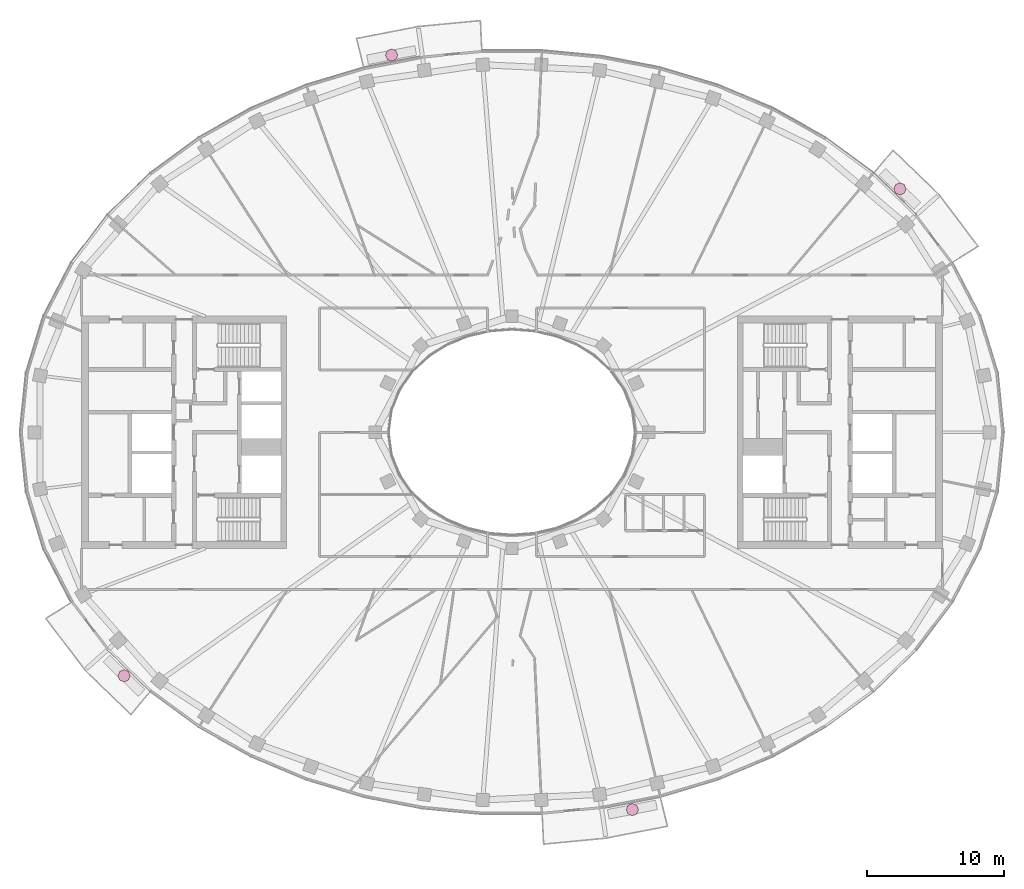
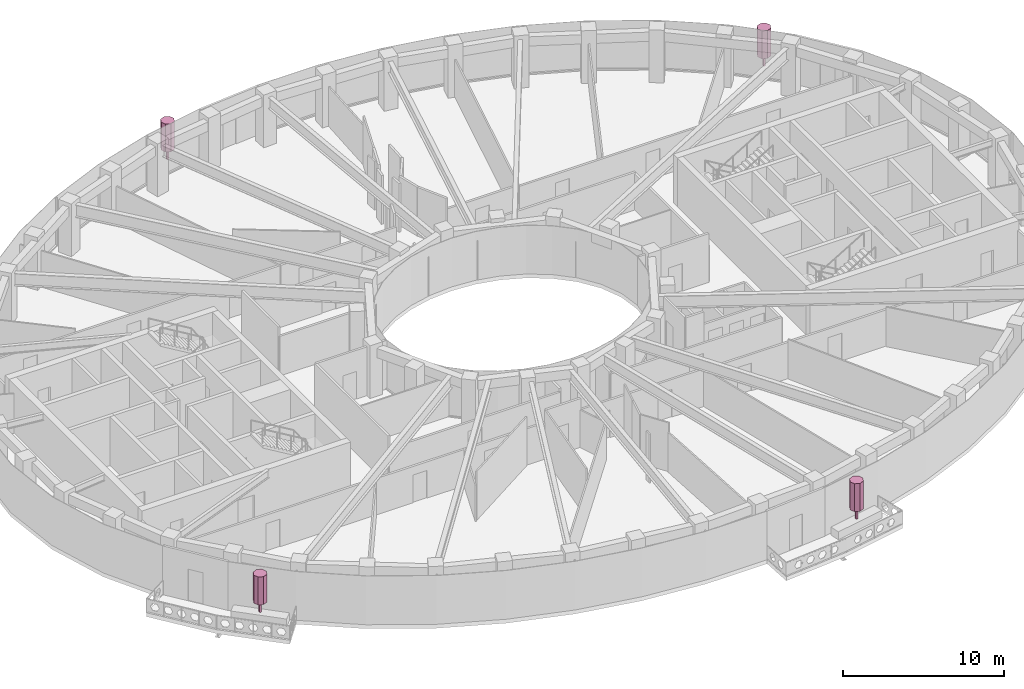
# One storey, part 16 of 16: 4 furnishings.
"""IFC4 building model written with IfcOpenShell, lengths in metres."""

from ifc_helpers import new_model, si_unit, direction, frame, origin, origin_2d, place, context, subcontext, project, spatial, polyline, rectangle, outline, extrude, material, type_object, element, save


model = new_model("IFC4")

# Units and contexts
model_context = context("Model", 3, precision=1e-05, world=origin(), true_north=direction((0.0, 1.0)))
body_context = subcontext(model_context, "Body", "Model", "MODEL_VIEW")
ifc_project = project(units=[si_unit("LENGTHUNIT", "METRE"), si_unit("AREAUNIT", "SQUARE_METRE"), si_unit("VOLUMEUNIT", "CUBIC_METRE"), si_unit("PLANEANGLEUNIT", "RADIAN"), si_unit("MASSUNIT", "GRAM", prefix="KILO")], contexts=[model_context])

# Site, building, storey
site_placement = place(None, origin())
site = spatial("IfcSite", under=ifc_project, at=site_placement, CompositionType="ELEMENT")
building_placement = place(site_placement, origin())
building = spatial("IfcBuilding", under=site, at=building_placement, Name="Noorbagh Ring Tower", CompositionType="ELEMENT")
storey_placement = place(building_placement, frame((0.0, 0.0, 311.0)))
storey = spatial("IfcBuildingStorey", under=building, at=storey_placement, Name="L67", CompositionType="ELEMENT", Elevation=311.0)

# Furnishings
ifc_material = material(Name="Planting foliage green")
furnishing_element_type = type_object("IfcFurnishingElementType", Name="ENV-TREE", material=ifc_material)
for number, where, z_axis, x_axis, name in (
    (1, (28.3837890625, 17.814208984375, 0.60009765625), (0.0, 0.0, 1.0), (1.0, 0.0, 0.0), "Tree BN01"),
    (2, (-8.807861328125, 27.603515625, 0.60009765625), (0.0, 0.0, 1.0), (1.0, 0.0, 0.0), "Tree BN04"),
    (3, (-28.3837890625, -17.814208984375, 0.60009765625), (0.0, 0.0, 1.0), (1.0, 0.0, 0.0), "Tree BS01"),
    (4, (8.807861328125, -27.603515625, 0.60009765625), (0.0, 0.0, 1.0), (1.0, 0.0, 0.0), "Tree BS04"),
):
    element("IfcFurnishingElement", number, at=place(storey_placement, frame(where, z_axis=z_axis, x_axis=x_axis)), inside=storey, type_object=furnishing_element_type, Name=name, context=body_context, shape_type="SweptSolid", body=[
        extrude(rectangle(XDim=0.1201171875, YDim=0.1201171875, at=origin_2d()), origin(), (0.0, 0.0, 1.0), 0.825927734375),
        extrude(outline(polyline([(0.449951171875, 0.0), (0.318115234375, 0.318115234375), (0.0, 0.449951171875), (-0.318115234375, 0.318115234375), (-0.449951171875, 0.0), (-0.318115234375, -0.318115234375), (0.0, -0.449951171875), (0.318115234375, -0.318115234375), (0.449951171875, 0.0)])), frame((0.0, 0.0, 0.825927734375)), (0.0, 0.0, 1.0), 2.1240234375),
    ])

save(model, "model.ifc")
